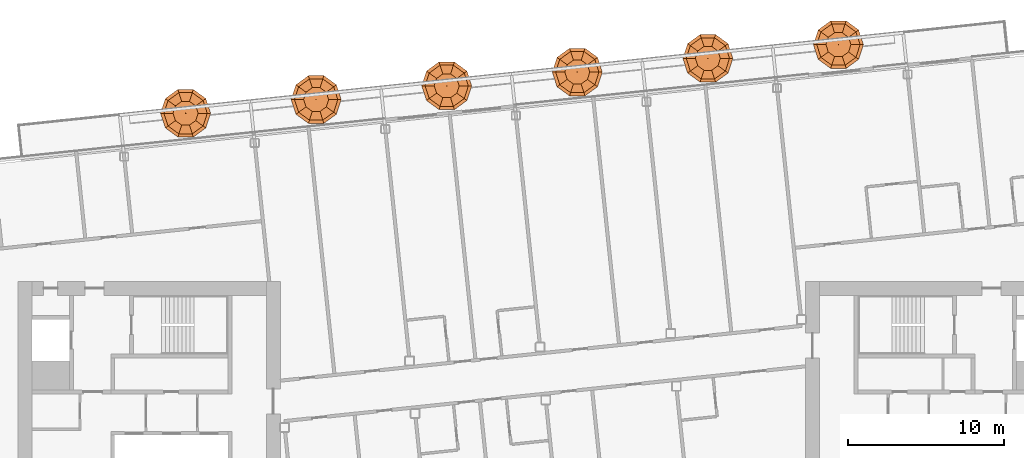
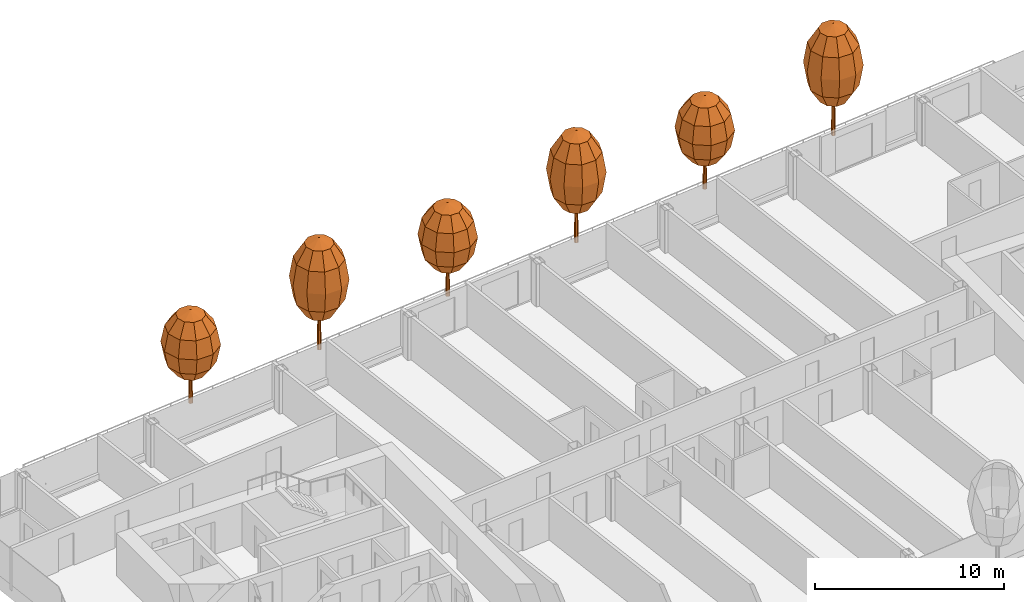
# One storey, part 29 of 29: 6 geographic elements.
"""IFC4 building model written with IfcOpenShell, lengths in metres."""

import ifcopenshell
import ifcopenshell.guid

model = None  # the IFC model being written
_history = None  # IfcOwnerHistory: only IFC2X3 demands one
_inside = {}  # id of a spatial element -> (the spatial element, [elements in it])
_under = {}  # id of a project, library or spatial element -> (it, [spatial elements below it])
_declared = {}  # id of a project -> (the project, [libraries it declares])
_typed = {}  # id of a type object -> (the type object, [elements of that type])
_made_of = {}  # id of a material, layer set ... -> (it, [elements and type objects made of it])


def new_model(schema):
    """Start an empty IFC model of exactly this schema.

    Asked for "IFC4X3", IfcOpenShell would pick the latest addendum, in which some entities
    have other attributes; the version numbers below select the first issue.
    IFC2X3 requires an IfcOwnerHistory on every rooted entity: one is made here for all.
    """
    global model, _history
    if schema == "IFC4X3":
        model = ifcopenshell.file(schema_version=(4, 3, 0, 0))
    else:
        model = ifcopenshell.file(schema=schema)
    _inside.clear()
    _under.clear()
    _declared.clear()
    _typed.clear()
    _made_of.clear()
    _history = None
    if model.schema == "IFC2X3":
        org = make("IfcOrganization", Name="unknown")
        user = make(
            "IfcPersonAndOrganization",
            ThePerson=make("IfcPerson", FamilyName="unknown"),
            TheOrganization=org,
        )
        app = make(
            "IfcApplication",
            ApplicationDeveloper=org,
            Version="unknown",
            ApplicationFullName="unknown",
            ApplicationIdentifier="unknown",
        )
        _history = make(
            "IfcOwnerHistory",
            OwningUser=user,
            OwningApplication=app,
            ChangeAction="ADDED",
            CreationDate=0,
        )
    return model


def make(cls, **values):
    """One entity of the class cls with the attributes given. An attribute that is None is left unset."""
    return model.create_entity(
        cls, **{name: value for name, value in values.items() if value is not None}
    )


def rooted(cls, **values):
    """An entity with a GlobalId (a new one), such as an element, a storey or a relation."""
    return make(cls, GlobalId=ifcopenshell.guid.new(), OwnerHistory=_history, **values)


def si_unit(unit_type, name, prefix=None):
    """IfcSIUnit, for example si_unit("LENGTHUNIT", "METRE", prefix="MILLI")."""
    return make("IfcSIUnit", UnitType=unit_type, Prefix=prefix, Name=name)


def assignment(units):
    """IfcUnitAssignment: the units of a project."""
    return None if units is None else make("IfcUnitAssignment", Units=units)


def point(xyz):
    """IfcCartesianPoint."""
    return None if xyz is None else make("IfcCartesianPoint", Coordinates=xyz)


def direction(xyz):
    """IfcDirection."""
    return None if xyz is None else make("IfcDirection", DirectionRatios=xyz)


def frame(location, z_axis=None, x_axis=None):
    """IfcAxis2Placement3D, a coordinate frame: its origin and axes. An axis left out is left unset."""
    return make(
        "IfcAxis2Placement3D",
        Location=point(location),
        Axis=direction(z_axis),
        RefDirection=direction(x_axis),
    )


def origin():
    """The frame at (0, 0, 0) with its axes left unset."""
    return frame((0.0, 0.0, 0.0))


def place(relative_to, where):
    """IfcLocalPlacement: puts the frame where relative to a parent placement (None: the world)."""
    return make(
        "IfcLocalPlacement", PlacementRelTo=relative_to, RelativePlacement=where
    )


def context(
    kind, dimensions, precision=None, world=None, true_north=None, identifier=None
):
    """IfcGeometricRepresentationContext, for example the 3D "Model" context."""
    return make(
        "IfcGeometricRepresentationContext",
        ContextIdentifier=identifier,
        ContextType=kind,
        CoordinateSpaceDimension=dimensions,
        Precision=precision,
        WorldCoordinateSystem=world,
        TrueNorth=true_north,
    )


def subcontext(parent, identifier, kind, view, scale=None):
    """IfcGeometricRepresentationSubContext, for example "Body" below "Model"."""
    return make(
        "IfcGeometricRepresentationSubContext",
        ContextIdentifier=identifier,
        ContextType=kind,
        ParentContext=parent,
        TargetScale=scale,
        TargetView=view,
    )


def project(units=None, contexts=None):
    """IfcProject with its units and contexts."""
    return rooted(
        "IfcProject",
        Name="project",
        RepresentationContexts=contexts,
        UnitsInContext=assignment(units),
    )


def spatial(cls, under=None, at=None, **own):
    """A site, building, storey or space (cls), placed at a placement, below another one or the project."""
    s = rooted(cls, ObjectPlacement=at, **own)
    if under is not None:
        _under.setdefault(under.id(), (under, []))[1].append(s)
    return s


def point_list(points):
    """IfcCartesianPointList2D or 3D."""
    cls = (
        "IfcCartesianPointList2D" if len(points[0]) == 2 else "IfcCartesianPointList3D"
    )
    return make(cls, CoordList=points)


def triangles(points, corners, closed=None, point_numbers=None):
    """IfcTriangulatedFaceSet: each triangle names its three corners, points numbered from 1."""
    return make(
        "IfcTriangulatedFaceSet",
        Coordinates=point_list(points),
        Closed=closed,
        CoordIndex=corners,
        PnIndex=point_numbers,
    )


def shape(context_of_items, identifier, shape_type, items):
    """IfcShapeRepresentation: the items that make up one representation, for example the "Body"."""
    return make(
        "IfcShapeRepresentation",
        ContextOfItems=context_of_items,
        RepresentationIdentifier=identifier,
        RepresentationType=shape_type,
        Items=items,
    )


def material(Name=None, Category=None):
    """IfcMaterial."""
    return make("IfcMaterial", Name=Name, Category=Category)


def made_of(thing, what):
    """Note that an element or type object is made of a material, layer set ...; save() writes the relation."""
    if what is not None:
        _made_of.setdefault(what.id(), (what, []))[1].append(thing)
    return thing


def type_object(cls, material=None, **own):
    """A type object (cls), such as IfcWallType, which elements share."""
    return made_of(rooted(cls, **own), material)


def element(
    cls,
    number,
    at=None,
    inside=None,
    cuts=None,
    type_object=None,
    material=None,
    context=None,
    identifier="Body",
    shape_type=None,
    held_by="IfcProductDefinitionShape",
    body=None,
    shapes=None,
    **own,
):
    """One element of the class cls, such as IfcWall. Its Tag is "e" and its number.

    at: its placement. inside: the storey or other place that contains it. cuts: it is an
    opening in that element (IfcRelVoidsElement). A single representation is given by context,
    identifier, shape_type and body (its items); several are given by shapes. held_by: the class
    of the entity that holds the representations. save() writes the other relations.
    """
    e = rooted(cls, Tag="e%d" % number, ObjectPlacement=at, **own)
    if body is not None:
        shapes = [shape(context, identifier, shape_type, body)]
    if shapes is not None:
        e.Representation = make(held_by, Representations=shapes)
    if inside is not None:
        _inside.setdefault(inside.id(), (inside, []))[1].append(e)
    if cuts is not None:
        rooted(
            "IfcRelVoidsElement", RelatingBuildingElement=cuts, RelatedOpeningElement=e
        )
    if type_object is not None:
        _typed.setdefault(type_object.id(), (type_object, []))[1].append(e)
    return made_of(e, material)


def aggregate(whole, parts):
    """IfcRelAggregates: a whole, such as a stair, and the parts it consists of."""
    return rooted("IfcRelAggregates", RelatingObject=whole, RelatedObjects=parts)


def save(model, path):
    """Write the relations noted so far, then the file.

    IfcRelAggregates (storeys below a building ...), IfcRelContainedInSpatialStructure (elements
    in a storey), IfcRelDefinesByType, IfcRelAssociatesMaterial and IfcRelDeclares: one each for
    every whole, place, type object, material and project.
    """
    for whole, parts in _under.values():
        aggregate(whole, parts)
    for where, things in _inside.values():
        rooted(
            "IfcRelContainedInSpatialStructure",
            RelatedElements=things,
            RelatingStructure=where,
        )
    for kind, things in _typed.values():
        rooted("IfcRelDefinesByType", RelatedObjects=things, RelatingType=kind)
    for what, things in _made_of.values():
        rooted("IfcRelAssociatesMaterial", RelatedObjects=things, RelatingMaterial=what)
    for by, libraries in _declared.values():
        rooted("IfcRelDeclares", RelatingContext=by, RelatedDefinitions=libraries)
    model.write(path)


model = new_model("IFC4")

# Units and contexts
model_context = context("Model", 3, precision=1e-05, world=origin(), true_north=direction((0.0, 1.0)))
body_context = subcontext(model_context, "Body", "Model", "MODEL_VIEW")
ifc_project = project(units=[si_unit("LENGTHUNIT", "METRE"), si_unit("AREAUNIT", "SQUARE_METRE"), si_unit("VOLUMEUNIT", "CUBIC_METRE"), si_unit("PLANEANGLEUNIT", "RADIAN"), si_unit("MASSUNIT", "GRAM", prefix="KILO")], contexts=[model_context])

# Site, building, storey
site_placement = place(None, origin())
site = spatial("IfcSite", under=ifc_project, at=site_placement, CompositionType="ELEMENT")
building_placement = place(site_placement, origin())
building = spatial("IfcBuilding", under=site, at=building_placement, Name="Hakoniwa Tower and Hamabe Station Hall", CompositionType="ELEMENT")
storey_placement = place(building_placement, frame((0.0, 0.0, 258.199951171875)))
storey = spatial("IfcBuildingStorey", under=building, at=storey_placement, Name="L73", CompositionType="ELEMENT", Elevation=258.199951171875)

# Geographic elements
ifc_material_1 = material(Name="Tree foliage")
geographic_element_type_1 = type_object("IfcGeographicElementType", Name="Japanese maple 7.2 m", PredefinedType="USERDEFINED", material=ifc_material_1)
geographic_element_1_placement = place(storey_placement, frame((-14.51171875, 20.029052734375, 0.900146484375)))
element("IfcGeographicElement", 1, at=geographic_element_1_placement, inside=storey, type_object=geographic_element_type_1, Name="Japanese maple 7-2 m", ObjectType="TREE", PredefinedType="USERDEFINED", context=body_context, shape_type="Tessellation", body=[
    triangles([(0.125, 0.0, 0.0), (0.08837890625, 0.08837890625, 0.0), (0.0, 0.125, 0.0), (-0.08837890625, 0.08837890625, 0.0), (-0.125, 0.0, 0.0), (-0.08837890625, -0.08837890625, 0.0), (0.0, -0.125, 0.0), (0.08837890625, -0.08837890625, 0.0), (0.074951171875, 0.0, 4.348876953125), (0.052978515625, 0.052978515625, 4.348876953125), (0.0, 0.074951171875, 4.348876953125), (-0.052978515625, 0.052978515625, 4.348876953125), (-0.074951171875, 0.0, 4.348876953125), (-0.052978515625, -0.052978515625, 4.348876953125), (0.0, -0.074951171875, 4.348876953125), (0.052978515625, -0.052978515625, 4.348876953125), (0.0, 0.0, 0.0), (0.0, 0.0, 4.348876953125)], [[1, 2, 10], [1, 10, 9], [17, 2, 1], [18, 9, 10], [2, 3, 11], [2, 11, 10], [17, 3, 2], [18, 10, 11], [3, 4, 12], [3, 12, 11], [17, 4, 3], [18, 11, 12], [4, 5, 13], [4, 13, 12], [17, 5, 4], [18, 12, 13], [5, 6, 14], [5, 14, 13], [17, 6, 5], [18, 13, 14], [6, 7, 15], [6, 15, 14], [17, 7, 6], [18, 14, 15], [7, 8, 16], [7, 16, 15], [17, 8, 7], [18, 15, 16], [8, 1, 9], [8, 9, 16], [17, 1, 8], [18, 16, 9]], closed=True),
    triangles([(0.0, 0.0, 2.015869140625), (0.800048828125, 0.0, 2.36328125), (0.647216796875, 0.47021484375, 2.36328125), (0.247314453125, 0.7607421875, 2.36328125), (-0.247314453125, 0.7607421875, 2.36328125), (-0.647216796875, 0.47021484375, 2.36328125), (-0.800048828125, 0.0, 2.36328125), (-0.647216796875, -0.47021484375, 2.36328125), (-0.247314453125, -0.7607421875, 2.36328125), (0.247314453125, -0.7607421875, 2.36328125), (0.647216796875, -0.47021484375, 2.36328125), (1.385498046875, 0.0, 3.31201171875), (1.12109375, 0.814453125, 3.31201171875), (0.42822265625, 1.31787109375, 3.31201171875), (-0.42822265625, 1.31787109375, 3.31201171875), (-1.12109375, 0.814453125, 3.31201171875), (-1.385498046875, 0.0, 3.31201171875), (-1.12109375, -0.814453125, 3.31201171875), (-0.42822265625, -1.31787109375, 3.31201171875), (0.42822265625, -1.31787109375, 3.31201171875), (1.12109375, -0.814453125, 3.31201171875), (1.60009765625, 0.0, 4.60791015625), (1.29443359375, 0.9404296875, 4.60791015625), (0.494384765625, 1.521728515625, 4.60791015625), (-0.494384765625, 1.521728515625, 4.60791015625), (-1.29443359375, 0.9404296875, 4.60791015625), (-1.60009765625, 0.0, 4.60791015625), (-1.29443359375, -0.9404296875, 4.60791015625), (-0.494384765625, -1.521728515625, 4.60791015625), (0.494384765625, -1.521728515625, 4.60791015625), (1.29443359375, -0.9404296875, 4.60791015625), (1.385498046875, 0.0, 5.904052734375), (1.12109375, 0.814453125, 5.904052734375), (0.42822265625, 1.31787109375, 5.904052734375), (-0.42822265625, 1.31787109375, 5.904052734375), (-1.12109375, 0.814453125, 5.904052734375), (-1.385498046875, 0.0, 5.904052734375), (-1.12109375, -0.814453125, 5.904052734375), (-0.42822265625, -1.31787109375, 5.904052734375), (0.42822265625, -1.31787109375, 5.904052734375), (1.12109375, -0.814453125, 5.904052734375), (0.800048828125, 0.0, 6.852783203125), (0.647216796875, 0.47021484375, 6.852783203125), (0.247314453125, 0.7607421875, 6.852783203125), (-0.247314453125, 0.7607421875, 6.852783203125), (-0.647216796875, 0.47021484375, 6.852783203125), (-0.800048828125, 0.0, 6.852783203125), (-0.647216796875, -0.47021484375, 6.852783203125), (-0.247314453125, -0.7607421875, 6.852783203125), (0.247314453125, -0.7607421875, 6.852783203125), (0.647216796875, -0.47021484375, 6.852783203125), (0.0, 0.0, 7.199951171875)], [[1, 3, 2], [1, 4, 3], [1, 5, 4], [1, 6, 5], [1, 7, 6], [1, 8, 7], [1, 9, 8], [1, 10, 9], [1, 11, 10], [1, 2, 11], [2, 3, 13], [2, 13, 12], [3, 4, 14], [3, 14, 13], [4, 5, 15], [4, 15, 14], [5, 6, 16], [5, 16, 15], [6, 7, 17], [6, 17, 16], [7, 8, 18], [7, 18, 17], [8, 9, 19], [8, 19, 18], [9, 10, 20], [9, 20, 19], [10, 11, 21], [10, 21, 20], [11, 2, 12], [11, 12, 21], [12, 13, 23], [12, 23, 22], [13, 14, 24], [13, 24, 23], [14, 15, 25], [14, 25, 24], [15, 16, 26], [15, 26, 25], [16, 17, 27], [16, 27, 26], [17, 18, 28], [17, 28, 27], [18, 19, 29], [18, 29, 28], [19, 20, 30], [19, 30, 29], [20, 21, 31], [20, 31, 30], [21, 12, 22], [21, 22, 31], [22, 23, 33], [22, 33, 32], [23, 24, 34], [23, 34, 33], [24, 25, 35], [24, 35, 34], [25, 26, 36], [25, 36, 35], [26, 27, 37], [26, 37, 36], [27, 28, 38], [27, 38, 37], [28, 29, 39], [28, 39, 38], [29, 30, 40], [29, 40, 39], [30, 31, 41], [30, 41, 40], [31, 22, 32], [31, 32, 41], [32, 33, 43], [32, 43, 42], [33, 34, 44], [33, 44, 43], [34, 35, 45], [34, 45, 44], [35, 36, 46], [35, 46, 45], [36, 37, 47], [36, 47, 46], [37, 38, 48], [37, 48, 47], [38, 39, 49], [38, 49, 48], [39, 40, 50], [39, 50, 49], [40, 41, 51], [40, 51, 50], [41, 32, 42], [41, 42, 51], [52, 42, 43], [52, 43, 44], [52, 44, 45], [52, 45, 46], [52, 46, 47], [52, 47, 48], [52, 48, 49], [52, 49, 50], [52, 50, 51], [52, 51, 42]], closed=True),
])
geographic_element_2_placement = place(storey_placement, frame((2.1962890625, 21.78515625, 0.900146484375)))
element("IfcGeographicElement", 2, at=geographic_element_2_placement, inside=storey, type_object=geographic_element_type_1, Name="Japanese maple 7-2 m", ObjectType="TREE", PredefinedType="USERDEFINED", context=body_context, shape_type="Tessellation", body=[
    triangles([(0.125, 0.0, 0.0), (0.08837890625, 0.08837890625, 0.0), (0.0, 0.125, 0.0), (-0.08837890625, 0.08837890625, 0.0), (-0.125, 0.0, 0.0), (-0.08837890625, -0.08837890625, 0.0), (0.0, -0.125, 0.0), (0.08837890625, -0.08837890625, 0.0), (0.074951171875, 0.0, 4.348876953125), (0.052978515625, 0.052978515625, 4.348876953125), (0.0, 0.074951171875, 4.348876953125), (-0.052978515625, 0.052978515625, 4.348876953125), (-0.074951171875, 0.0, 4.348876953125), (-0.052978515625, -0.052978515625, 4.348876953125), (0.0, -0.074951171875, 4.348876953125), (0.052978515625, -0.052978515625, 4.348876953125), (0.0, 0.0, 0.0), (0.0, 0.0, 4.348876953125)], [[1, 2, 10], [1, 10, 9], [17, 2, 1], [18, 9, 10], [2, 3, 11], [2, 11, 10], [17, 3, 2], [18, 10, 11], [3, 4, 12], [3, 12, 11], [17, 4, 3], [18, 11, 12], [4, 5, 13], [4, 13, 12], [17, 5, 4], [18, 12, 13], [5, 6, 14], [5, 14, 13], [17, 6, 5], [18, 13, 14], [6, 7, 15], [6, 15, 14], [17, 7, 6], [18, 14, 15], [7, 8, 16], [7, 16, 15], [17, 8, 7], [18, 15, 16], [8, 1, 9], [8, 9, 16], [17, 1, 8], [18, 16, 9]], closed=True),
    triangles([(0.0, 0.0, 2.015869140625), (0.800048828125, 0.0, 2.36328125), (0.647216796875, 0.47021484375, 2.36328125), (0.247314453125, 0.7607421875, 2.36328125), (-0.247314453125, 0.7607421875, 2.36328125), (-0.647216796875, 0.47021484375, 2.36328125), (-0.800048828125, 0.0, 2.36328125), (-0.647216796875, -0.47021484375, 2.36328125), (-0.247314453125, -0.7607421875, 2.36328125), (0.247314453125, -0.7607421875, 2.36328125), (0.647216796875, -0.47021484375, 2.36328125), (1.385498046875, 0.0, 3.31201171875), (1.12109375, 0.814453125, 3.31201171875), (0.42822265625, 1.31787109375, 3.31201171875), (-0.42822265625, 1.31787109375, 3.31201171875), (-1.12109375, 0.814453125, 3.31201171875), (-1.385498046875, 0.0, 3.31201171875), (-1.12109375, -0.814453125, 3.31201171875), (-0.42822265625, -1.31787109375, 3.31201171875), (0.42822265625, -1.31787109375, 3.31201171875), (1.12109375, -0.814453125, 3.31201171875), (1.60009765625, 0.0, 4.60791015625), (1.29443359375, 0.9404296875, 4.60791015625), (0.494384765625, 1.521728515625, 4.60791015625), (-0.494384765625, 1.521728515625, 4.60791015625), (-1.29443359375, 0.9404296875, 4.60791015625), (-1.60009765625, 0.0, 4.60791015625), (-1.29443359375, -0.9404296875, 4.60791015625), (-0.494384765625, -1.521728515625, 4.60791015625), (0.494384765625, -1.521728515625, 4.60791015625), (1.29443359375, -0.9404296875, 4.60791015625), (1.385498046875, 0.0, 5.904052734375), (1.12109375, 0.814453125, 5.904052734375), (0.42822265625, 1.31787109375, 5.904052734375), (-0.42822265625, 1.31787109375, 5.904052734375), (-1.12109375, 0.814453125, 5.904052734375), (-1.385498046875, 0.0, 5.904052734375), (-1.12109375, -0.814453125, 5.904052734375), (-0.42822265625, -1.31787109375, 5.904052734375), (0.42822265625, -1.31787109375, 5.904052734375), (1.12109375, -0.814453125, 5.904052734375), (0.800048828125, 0.0, 6.852783203125), (0.647216796875, 0.47021484375, 6.852783203125), (0.247314453125, 0.7607421875, 6.852783203125), (-0.247314453125, 0.7607421875, 6.852783203125), (-0.647216796875, 0.47021484375, 6.852783203125), (-0.800048828125, 0.0, 6.852783203125), (-0.647216796875, -0.47021484375, 6.852783203125), (-0.247314453125, -0.7607421875, 6.852783203125), (0.247314453125, -0.7607421875, 6.852783203125), (0.647216796875, -0.47021484375, 6.852783203125), (0.0, 0.0, 7.199951171875)], [[1, 3, 2], [1, 4, 3], [1, 5, 4], [1, 6, 5], [1, 7, 6], [1, 8, 7], [1, 9, 8], [1, 10, 9], [1, 11, 10], [1, 2, 11], [2, 3, 13], [2, 13, 12], [3, 4, 14], [3, 14, 13], [4, 5, 15], [4, 15, 14], [5, 6, 16], [5, 16, 15], [6, 7, 17], [6, 17, 16], [7, 8, 18], [7, 18, 17], [8, 9, 19], [8, 19, 18], [9, 10, 20], [9, 20, 19], [10, 11, 21], [10, 21, 20], [11, 2, 12], [11, 12, 21], [12, 13, 23], [12, 23, 22], [13, 14, 24], [13, 24, 23], [14, 15, 25], [14, 25, 24], [15, 16, 26], [15, 26, 25], [16, 17, 27], [16, 27, 26], [17, 18, 28], [17, 28, 27], [18, 19, 29], [18, 29, 28], [19, 20, 30], [19, 30, 29], [20, 21, 31], [20, 31, 30], [21, 12, 22], [21, 22, 31], [22, 23, 33], [22, 33, 32], [23, 24, 34], [23, 34, 33], [24, 25, 35], [24, 35, 34], [25, 26, 36], [25, 36, 35], [26, 27, 37], [26, 37, 36], [27, 28, 38], [27, 38, 37], [28, 29, 39], [28, 39, 38], [29, 30, 40], [29, 40, 39], [30, 31, 41], [30, 41, 40], [31, 22, 32], [31, 32, 41], [32, 33, 43], [32, 43, 42], [33, 34, 44], [33, 44, 43], [34, 35, 45], [34, 45, 44], [35, 36, 46], [35, 46, 45], [36, 37, 47], [36, 47, 46], [37, 38, 48], [37, 48, 47], [38, 39, 49], [38, 49, 48], [39, 40, 50], [39, 50, 49], [40, 41, 51], [40, 51, 50], [41, 32, 42], [41, 42, 51], [52, 42, 43], [52, 43, 44], [52, 44, 45], [52, 45, 46], [52, 46, 47], [52, 47, 48], [52, 48, 49], [52, 49, 50], [52, 50, 51], [52, 51, 42]], closed=True),
])
geographic_element_3_placement = place(storey_placement, frame((18.904052734375, 23.541259765625, 0.900146484375)))
element("IfcGeographicElement", 3, at=geographic_element_3_placement, inside=storey, type_object=geographic_element_type_1, Name="Japanese maple 7-2 m", ObjectType="TREE", PredefinedType="USERDEFINED", context=body_context, shape_type="Tessellation", body=[
    triangles([(0.125, 0.0, 0.0), (0.08837890625, 0.08837890625, 0.0), (0.0, 0.125, 0.0), (-0.08837890625, 0.08837890625, 0.0), (-0.125, 0.0, 0.0), (-0.08837890625, -0.08837890625, 0.0), (0.0, -0.125, 0.0), (0.08837890625, -0.08837890625, 0.0), (0.074951171875, 0.0, 4.348876953125), (0.052978515625, 0.052978515625, 4.348876953125), (0.0, 0.074951171875, 4.348876953125), (-0.052978515625, 0.052978515625, 4.348876953125), (-0.074951171875, 0.0, 4.348876953125), (-0.052978515625, -0.052978515625, 4.348876953125), (0.0, -0.074951171875, 4.348876953125), (0.052978515625, -0.052978515625, 4.348876953125), (0.0, 0.0, 0.0), (0.0, 0.0, 4.348876953125)], [[1, 2, 10], [1, 10, 9], [17, 2, 1], [18, 9, 10], [2, 3, 11], [2, 11, 10], [17, 3, 2], [18, 10, 11], [3, 4, 12], [3, 12, 11], [17, 4, 3], [18, 11, 12], [4, 5, 13], [4, 13, 12], [17, 5, 4], [18, 12, 13], [5, 6, 14], [5, 14, 13], [17, 6, 5], [18, 13, 14], [6, 7, 15], [6, 15, 14], [17, 7, 6], [18, 14, 15], [7, 8, 16], [7, 16, 15], [17, 8, 7], [18, 15, 16], [8, 1, 9], [8, 9, 16], [17, 1, 8], [18, 16, 9]], closed=True),
    triangles([(0.0, 0.0, 2.015869140625), (0.800048828125, 0.0, 2.36328125), (0.647216796875, 0.47021484375, 2.36328125), (0.247314453125, 0.7607421875, 2.36328125), (-0.247314453125, 0.7607421875, 2.36328125), (-0.647216796875, 0.47021484375, 2.36328125), (-0.800048828125, 0.0, 2.36328125), (-0.647216796875, -0.47021484375, 2.36328125), (-0.247314453125, -0.7607421875, 2.36328125), (0.247314453125, -0.7607421875, 2.36328125), (0.647216796875, -0.47021484375, 2.36328125), (1.385498046875, 0.0, 3.31201171875), (1.12109375, 0.814453125, 3.31201171875), (0.42822265625, 1.31787109375, 3.31201171875), (-0.42822265625, 1.31787109375, 3.31201171875), (-1.12109375, 0.814453125, 3.31201171875), (-1.385498046875, 0.0, 3.31201171875), (-1.12109375, -0.814453125, 3.31201171875), (-0.42822265625, -1.31787109375, 3.31201171875), (0.42822265625, -1.31787109375, 3.31201171875), (1.12109375, -0.814453125, 3.31201171875), (1.60009765625, 0.0, 4.60791015625), (1.29443359375, 0.9404296875, 4.60791015625), (0.494384765625, 1.521728515625, 4.60791015625), (-0.494384765625, 1.521728515625, 4.60791015625), (-1.29443359375, 0.9404296875, 4.60791015625), (-1.60009765625, 0.0, 4.60791015625), (-1.29443359375, -0.9404296875, 4.60791015625), (-0.494384765625, -1.521728515625, 4.60791015625), (0.494384765625, -1.521728515625, 4.60791015625), (1.29443359375, -0.9404296875, 4.60791015625), (1.385498046875, 0.0, 5.904052734375), (1.12109375, 0.814453125, 5.904052734375), (0.42822265625, 1.31787109375, 5.904052734375), (-0.42822265625, 1.31787109375, 5.904052734375), (-1.12109375, 0.814453125, 5.904052734375), (-1.385498046875, 0.0, 5.904052734375), (-1.12109375, -0.814453125, 5.904052734375), (-0.42822265625, -1.31787109375, 5.904052734375), (0.42822265625, -1.31787109375, 5.904052734375), (1.12109375, -0.814453125, 5.904052734375), (0.800048828125, 0.0, 6.852783203125), (0.647216796875, 0.47021484375, 6.852783203125), (0.247314453125, 0.7607421875, 6.852783203125), (-0.247314453125, 0.7607421875, 6.852783203125), (-0.647216796875, 0.47021484375, 6.852783203125), (-0.800048828125, 0.0, 6.852783203125), (-0.647216796875, -0.47021484375, 6.852783203125), (-0.247314453125, -0.7607421875, 6.852783203125), (0.247314453125, -0.7607421875, 6.852783203125), (0.647216796875, -0.47021484375, 6.852783203125), (0.0, 0.0, 7.199951171875)], [[1, 3, 2], [1, 4, 3], [1, 5, 4], [1, 6, 5], [1, 7, 6], [1, 8, 7], [1, 9, 8], [1, 10, 9], [1, 11, 10], [1, 2, 11], [2, 3, 13], [2, 13, 12], [3, 4, 14], [3, 14, 13], [4, 5, 15], [4, 15, 14], [5, 6, 16], [5, 16, 15], [6, 7, 17], [6, 17, 16], [7, 8, 18], [7, 18, 17], [8, 9, 19], [8, 19, 18], [9, 10, 20], [9, 20, 19], [10, 11, 21], [10, 21, 20], [11, 2, 12], [11, 12, 21], [12, 13, 23], [12, 23, 22], [13, 14, 24], [13, 24, 23], [14, 15, 25], [14, 25, 24], [15, 16, 26], [15, 26, 25], [16, 17, 27], [16, 27, 26], [17, 18, 28], [17, 28, 27], [18, 19, 29], [18, 29, 28], [19, 20, 30], [19, 30, 29], [20, 21, 31], [20, 31, 30], [21, 12, 22], [21, 22, 31], [22, 23, 33], [22, 33, 32], [23, 24, 34], [23, 34, 33], [24, 25, 35], [24, 35, 34], [25, 26, 36], [25, 36, 35], [26, 27, 37], [26, 37, 36], [27, 28, 38], [27, 38, 37], [28, 29, 39], [28, 39, 38], [29, 30, 40], [29, 40, 39], [30, 31, 41], [30, 41, 40], [31, 22, 32], [31, 32, 41], [32, 33, 43], [32, 43, 42], [33, 34, 44], [33, 44, 43], [34, 35, 45], [34, 45, 44], [35, 36, 46], [35, 46, 45], [36, 37, 47], [36, 47, 46], [37, 38, 48], [37, 48, 47], [38, 39, 49], [38, 49, 48], [39, 40, 50], [39, 50, 49], [40, 41, 51], [40, 51, 50], [41, 32, 42], [41, 42, 51], [52, 42, 43], [52, 43, 44], [52, 44, 45], [52, 45, 46], [52, 46, 47], [52, 47, 48], [52, 48, 49], [52, 49, 50], [52, 50, 51], [52, 51, 42]], closed=True),
])
ifc_material_2 = material(Name="Tree foliage")
geographic_element_type_2 = type_object("IfcGeographicElementType", Name="Osmanthus 6.0 m", PredefinedType="USERDEFINED", material=ifc_material_2)
geographic_element_4_placement = place(storey_placement, frame((-22.86572265625, 19.151123046875, 0.900146484375)))
element("IfcGeographicElement", 4, at=geographic_element_4_placement, inside=storey, type_object=geographic_element_type_2, Name="Osmanthus 6-0 m", ObjectType="TREE", PredefinedType="USERDEFINED", context=body_context, shape_type="Tessellation", body=[
    triangles([(0.125, 0.0, 0.0), (0.08837890625, 0.08837890625, 0.0), (0.0, 0.125, 0.0), (-0.08837890625, 0.08837890625, 0.0), (-0.125, 0.0, 0.0), (-0.08837890625, -0.08837890625, 0.0), (0.0, -0.125, 0.0), (0.08837890625, -0.08837890625, 0.0), (0.074951171875, 0.0, 3.6240234375), (0.052978515625, 0.052978515625, 3.6240234375), (0.0, 0.074951171875, 3.6240234375), (-0.052978515625, 0.052978515625, 3.6240234375), (-0.074951171875, 0.0, 3.6240234375), (-0.052978515625, -0.052978515625, 3.6240234375), (0.0, -0.074951171875, 3.6240234375), (0.052978515625, -0.052978515625, 3.6240234375), (0.0, 0.0, 0.0), (0.0, 0.0, 3.6240234375)], [[1, 2, 10], [1, 10, 9], [17, 2, 1], [18, 9, 10], [2, 3, 11], [2, 11, 10], [17, 3, 2], [18, 10, 11], [3, 4, 12], [3, 12, 11], [17, 4, 3], [18, 11, 12], [4, 5, 13], [4, 13, 12], [17, 5, 4], [18, 12, 13], [5, 6, 14], [5, 14, 13], [17, 6, 5], [18, 13, 14], [6, 7, 15], [6, 15, 14], [17, 7, 6], [18, 14, 15], [7, 8, 16], [7, 16, 15], [17, 8, 7], [18, 15, 16], [8, 1, 9], [8, 9, 16], [17, 1, 8], [18, 16, 9]], closed=True),
    triangles([(0.0, 0.0, 1.679931640625), (0.800048828125, 0.0, 1.969482421875), (0.647216796875, 0.47021484375, 1.969482421875), (0.247314453125, 0.7607421875, 1.969482421875), (-0.247314453125, 0.7607421875, 1.969482421875), (-0.647216796875, 0.47021484375, 1.969482421875), (-0.800048828125, 0.0, 1.969482421875), (-0.647216796875, -0.47021484375, 1.969482421875), (-0.247314453125, -0.7607421875, 1.969482421875), (0.247314453125, -0.7607421875, 1.969482421875), (0.647216796875, -0.47021484375, 1.969482421875), (1.385498046875, 0.0, 2.760009765625), (1.12109375, 0.814453125, 2.760009765625), (0.42822265625, 1.31787109375, 2.760009765625), (-0.42822265625, 1.31787109375, 2.760009765625), (-1.12109375, 0.814453125, 2.760009765625), (-1.385498046875, 0.0, 2.760009765625), (-1.12109375, -0.814453125, 2.760009765625), (-0.42822265625, -1.31787109375, 2.760009765625), (0.42822265625, -1.31787109375, 2.760009765625), (1.12109375, -0.814453125, 2.760009765625), (1.60009765625, 0.0, 3.840087890625), (1.29443359375, 0.9404296875, 3.840087890625), (0.494384765625, 1.521728515625, 3.840087890625), (-0.494384765625, 1.521728515625, 3.840087890625), (-1.29443359375, 0.9404296875, 3.840087890625), (-1.60009765625, 0.0, 3.840087890625), (-1.29443359375, -0.9404296875, 3.840087890625), (-0.494384765625, -1.521728515625, 3.840087890625), (0.494384765625, -1.521728515625, 3.840087890625), (1.29443359375, -0.9404296875, 3.840087890625), (1.385498046875, 0.0, 4.919921875), (1.12109375, 0.814453125, 4.919921875), (0.42822265625, 1.31787109375, 4.919921875), (-0.42822265625, 1.31787109375, 4.919921875), (-1.12109375, 0.814453125, 4.919921875), (-1.385498046875, 0.0, 4.919921875), (-1.12109375, -0.814453125, 4.919921875), (-0.42822265625, -1.31787109375, 4.919921875), (0.42822265625, -1.31787109375, 4.919921875), (1.12109375, -0.814453125, 4.919921875), (0.800048828125, 0.0, 5.710693359375), (0.647216796875, 0.47021484375, 5.710693359375), (0.247314453125, 0.7607421875, 5.710693359375), (-0.247314453125, 0.7607421875, 5.710693359375), (-0.647216796875, 0.47021484375, 5.710693359375), (-0.800048828125, 0.0, 5.710693359375), (-0.647216796875, -0.47021484375, 5.710693359375), (-0.247314453125, -0.7607421875, 5.710693359375), (0.247314453125, -0.7607421875, 5.710693359375), (0.647216796875, -0.47021484375, 5.710693359375), (0.0, 0.0, 6.0)], [[1, 3, 2], [1, 4, 3], [1, 5, 4], [1, 6, 5], [1, 7, 6], [1, 8, 7], [1, 9, 8], [1, 10, 9], [1, 11, 10], [1, 2, 11], [2, 3, 13], [2, 13, 12], [3, 4, 14], [3, 14, 13], [4, 5, 15], [4, 15, 14], [5, 6, 16], [5, 16, 15], [6, 7, 17], [6, 17, 16], [7, 8, 18], [7, 18, 17], [8, 9, 19], [8, 19, 18], [9, 10, 20], [9, 20, 19], [10, 11, 21], [10, 21, 20], [11, 2, 12], [11, 12, 21], [12, 13, 23], [12, 23, 22], [13, 14, 24], [13, 24, 23], [14, 15, 25], [14, 25, 24], [15, 16, 26], [15, 26, 25], [16, 17, 27], [16, 27, 26], [17, 18, 28], [17, 28, 27], [18, 19, 29], [18, 29, 28], [19, 20, 30], [19, 30, 29], [20, 21, 31], [20, 31, 30], [21, 12, 22], [21, 22, 31], [22, 23, 33], [22, 33, 32], [23, 24, 34], [23, 34, 33], [24, 25, 35], [24, 35, 34], [25, 26, 36], [25, 36, 35], [26, 27, 37], [26, 37, 36], [27, 28, 38], [27, 38, 37], [28, 29, 39], [28, 39, 38], [29, 30, 40], [29, 40, 39], [30, 31, 41], [30, 41, 40], [31, 22, 32], [31, 32, 41], [32, 33, 43], [32, 43, 42], [33, 34, 44], [33, 44, 43], [34, 35, 45], [34, 45, 44], [35, 36, 46], [35, 46, 45], [36, 37, 47], [36, 47, 46], [37, 38, 48], [37, 48, 47], [38, 39, 49], [38, 49, 48], [39, 40, 50], [39, 50, 49], [40, 41, 51], [40, 51, 50], [41, 32, 42], [41, 42, 51], [52, 42, 43], [52, 43, 44], [52, 44, 45], [52, 45, 46], [52, 46, 47], [52, 47, 48], [52, 48, 49], [52, 49, 50], [52, 50, 51], [52, 51, 42]], closed=True),
])
geographic_element_5_placement = place(storey_placement, frame((-6.15771484375, 20.9072265625, 0.900146484375)))
element("IfcGeographicElement", 5, at=geographic_element_5_placement, inside=storey, type_object=geographic_element_type_2, Name="Osmanthus 6-0 m", ObjectType="TREE", PredefinedType="USERDEFINED", context=body_context, shape_type="Tessellation", body=[
    triangles([(0.125, 0.0, 0.0), (0.08837890625, 0.08837890625, 0.0), (0.0, 0.125, 0.0), (-0.08837890625, 0.08837890625, 0.0), (-0.125, 0.0, 0.0), (-0.08837890625, -0.08837890625, 0.0), (0.0, -0.125, 0.0), (0.08837890625, -0.08837890625, 0.0), (0.074951171875, 0.0, 3.6240234375), (0.052978515625, 0.052978515625, 3.6240234375), (0.0, 0.074951171875, 3.6240234375), (-0.052978515625, 0.052978515625, 3.6240234375), (-0.074951171875, 0.0, 3.6240234375), (-0.052978515625, -0.052978515625, 3.6240234375), (0.0, -0.074951171875, 3.6240234375), (0.052978515625, -0.052978515625, 3.6240234375), (0.0, 0.0, 0.0), (0.0, 0.0, 3.6240234375)], [[1, 2, 10], [1, 10, 9], [17, 2, 1], [18, 9, 10], [2, 3, 11], [2, 11, 10], [17, 3, 2], [18, 10, 11], [3, 4, 12], [3, 12, 11], [17, 4, 3], [18, 11, 12], [4, 5, 13], [4, 13, 12], [17, 5, 4], [18, 12, 13], [5, 6, 14], [5, 14, 13], [17, 6, 5], [18, 13, 14], [6, 7, 15], [6, 15, 14], [17, 7, 6], [18, 14, 15], [7, 8, 16], [7, 16, 15], [17, 8, 7], [18, 15, 16], [8, 1, 9], [8, 9, 16], [17, 1, 8], [18, 16, 9]], closed=True),
    triangles([(0.0, 0.0, 1.679931640625), (0.800048828125, 0.0, 1.969482421875), (0.647216796875, 0.47021484375, 1.969482421875), (0.247314453125, 0.7607421875, 1.969482421875), (-0.247314453125, 0.7607421875, 1.969482421875), (-0.647216796875, 0.47021484375, 1.969482421875), (-0.800048828125, 0.0, 1.969482421875), (-0.647216796875, -0.47021484375, 1.969482421875), (-0.247314453125, -0.7607421875, 1.969482421875), (0.247314453125, -0.7607421875, 1.969482421875), (0.647216796875, -0.47021484375, 1.969482421875), (1.385498046875, 0.0, 2.760009765625), (1.12109375, 0.814453125, 2.760009765625), (0.42822265625, 1.31787109375, 2.760009765625), (-0.42822265625, 1.31787109375, 2.760009765625), (-1.12109375, 0.814453125, 2.760009765625), (-1.385498046875, 0.0, 2.760009765625), (-1.12109375, -0.814453125, 2.760009765625), (-0.42822265625, -1.31787109375, 2.760009765625), (0.42822265625, -1.31787109375, 2.760009765625), (1.12109375, -0.814453125, 2.760009765625), (1.60009765625, 0.0, 3.840087890625), (1.29443359375, 0.9404296875, 3.840087890625), (0.494384765625, 1.521728515625, 3.840087890625), (-0.494384765625, 1.521728515625, 3.840087890625), (-1.29443359375, 0.9404296875, 3.840087890625), (-1.60009765625, 0.0, 3.840087890625), (-1.29443359375, -0.9404296875, 3.840087890625), (-0.494384765625, -1.521728515625, 3.840087890625), (0.494384765625, -1.521728515625, 3.840087890625), (1.29443359375, -0.9404296875, 3.840087890625), (1.385498046875, 0.0, 4.919921875), (1.12109375, 0.814453125, 4.919921875), (0.42822265625, 1.31787109375, 4.919921875), (-0.42822265625, 1.31787109375, 4.919921875), (-1.12109375, 0.814453125, 4.919921875), (-1.385498046875, 0.0, 4.919921875), (-1.12109375, -0.814453125, 4.919921875), (-0.42822265625, -1.31787109375, 4.919921875), (0.42822265625, -1.31787109375, 4.919921875), (1.12109375, -0.814453125, 4.919921875), (0.800048828125, 0.0, 5.710693359375), (0.647216796875, 0.47021484375, 5.710693359375), (0.247314453125, 0.7607421875, 5.710693359375), (-0.247314453125, 0.7607421875, 5.710693359375), (-0.647216796875, 0.47021484375, 5.710693359375), (-0.800048828125, 0.0, 5.710693359375), (-0.647216796875, -0.47021484375, 5.710693359375), (-0.247314453125, -0.7607421875, 5.710693359375), (0.247314453125, -0.7607421875, 5.710693359375), (0.647216796875, -0.47021484375, 5.710693359375), (0.0, 0.0, 6.0)], [[1, 3, 2], [1, 4, 3], [1, 5, 4], [1, 6, 5], [1, 7, 6], [1, 8, 7], [1, 9, 8], [1, 10, 9], [1, 11, 10], [1, 2, 11], [2, 3, 13], [2, 13, 12], [3, 4, 14], [3, 14, 13], [4, 5, 15], [4, 15, 14], [5, 6, 16], [5, 16, 15], [6, 7, 17], [6, 17, 16], [7, 8, 18], [7, 18, 17], [8, 9, 19], [8, 19, 18], [9, 10, 20], [9, 20, 19], [10, 11, 21], [10, 21, 20], [11, 2, 12], [11, 12, 21], [12, 13, 23], [12, 23, 22], [13, 14, 24], [13, 24, 23], [14, 15, 25], [14, 25, 24], [15, 16, 26], [15, 26, 25], [16, 17, 27], [16, 27, 26], [17, 18, 28], [17, 28, 27], [18, 19, 29], [18, 29, 28], [19, 20, 30], [19, 30, 29], [20, 21, 31], [20, 31, 30], [21, 12, 22], [21, 22, 31], [22, 23, 33], [22, 33, 32], [23, 24, 34], [23, 34, 33], [24, 25, 35], [24, 35, 34], [25, 26, 36], [25, 36, 35], [26, 27, 37], [26, 37, 36], [27, 28, 38], [27, 38, 37], [28, 29, 39], [28, 39, 38], [29, 30, 40], [29, 40, 39], [30, 31, 41], [30, 41, 40], [31, 22, 32], [31, 32, 41], [32, 33, 43], [32, 43, 42], [33, 34, 44], [33, 44, 43], [34, 35, 45], [34, 45, 44], [35, 36, 46], [35, 46, 45], [36, 37, 47], [36, 47, 46], [37, 38, 48], [37, 48, 47], [38, 39, 49], [38, 49, 48], [39, 40, 50], [39, 50, 49], [40, 41, 51], [40, 51, 50], [41, 32, 42], [41, 42, 51], [52, 42, 43], [52, 43, 44], [52, 44, 45], [52, 45, 46], [52, 46, 47], [52, 47, 48], [52, 48, 49], [52, 49, 50], [52, 50, 51], [52, 51, 42]], closed=True),
])
geographic_element_6_placement = place(storey_placement, frame((10.550048828125, 22.663330078125, 0.900146484375)))
element("IfcGeographicElement", 6, at=geographic_element_6_placement, inside=storey, type_object=geographic_element_type_2, Name="Osmanthus 6-0 m", ObjectType="TREE", PredefinedType="USERDEFINED", context=body_context, shape_type="Tessellation", body=[
    triangles([(0.125, 0.0, 0.0), (0.08837890625, 0.08837890625, 0.0), (0.0, 0.125, 0.0), (-0.08837890625, 0.08837890625, 0.0), (-0.125, 0.0, 0.0), (-0.08837890625, -0.08837890625, 0.0), (0.0, -0.125, 0.0), (0.08837890625, -0.08837890625, 0.0), (0.074951171875, 0.0, 3.6240234375), (0.052978515625, 0.052978515625, 3.6240234375), (0.0, 0.074951171875, 3.6240234375), (-0.052978515625, 0.052978515625, 3.6240234375), (-0.074951171875, 0.0, 3.6240234375), (-0.052978515625, -0.052978515625, 3.6240234375), (0.0, -0.074951171875, 3.6240234375), (0.052978515625, -0.052978515625, 3.6240234375), (0.0, 0.0, 0.0), (0.0, 0.0, 3.6240234375)], [[1, 2, 10], [1, 10, 9], [17, 2, 1], [18, 9, 10], [2, 3, 11], [2, 11, 10], [17, 3, 2], [18, 10, 11], [3, 4, 12], [3, 12, 11], [17, 4, 3], [18, 11, 12], [4, 5, 13], [4, 13, 12], [17, 5, 4], [18, 12, 13], [5, 6, 14], [5, 14, 13], [17, 6, 5], [18, 13, 14], [6, 7, 15], [6, 15, 14], [17, 7, 6], [18, 14, 15], [7, 8, 16], [7, 16, 15], [17, 8, 7], [18, 15, 16], [8, 1, 9], [8, 9, 16], [17, 1, 8], [18, 16, 9]], closed=True),
    triangles([(0.0, 0.0, 1.679931640625), (0.800048828125, 0.0, 1.969482421875), (0.647216796875, 0.47021484375, 1.969482421875), (0.247314453125, 0.7607421875, 1.969482421875), (-0.247314453125, 0.7607421875, 1.969482421875), (-0.647216796875, 0.47021484375, 1.969482421875), (-0.800048828125, 0.0, 1.969482421875), (-0.647216796875, -0.47021484375, 1.969482421875), (-0.247314453125, -0.7607421875, 1.969482421875), (0.247314453125, -0.7607421875, 1.969482421875), (0.647216796875, -0.47021484375, 1.969482421875), (1.385498046875, 0.0, 2.760009765625), (1.12109375, 0.814453125, 2.760009765625), (0.42822265625, 1.31787109375, 2.760009765625), (-0.42822265625, 1.31787109375, 2.760009765625), (-1.12109375, 0.814453125, 2.760009765625), (-1.385498046875, 0.0, 2.760009765625), (-1.12109375, -0.814453125, 2.760009765625), (-0.42822265625, -1.31787109375, 2.760009765625), (0.42822265625, -1.31787109375, 2.760009765625), (1.12109375, -0.814453125, 2.760009765625), (1.60009765625, 0.0, 3.840087890625), (1.29443359375, 0.9404296875, 3.840087890625), (0.494384765625, 1.521728515625, 3.840087890625), (-0.494384765625, 1.521728515625, 3.840087890625), (-1.29443359375, 0.9404296875, 3.840087890625), (-1.60009765625, 0.0, 3.840087890625), (-1.29443359375, -0.9404296875, 3.840087890625), (-0.494384765625, -1.521728515625, 3.840087890625), (0.494384765625, -1.521728515625, 3.840087890625), (1.29443359375, -0.9404296875, 3.840087890625), (1.385498046875, 0.0, 4.919921875), (1.12109375, 0.814453125, 4.919921875), (0.42822265625, 1.31787109375, 4.919921875), (-0.42822265625, 1.31787109375, 4.919921875), (-1.12109375, 0.814453125, 4.919921875), (-1.385498046875, 0.0, 4.919921875), (-1.12109375, -0.814453125, 4.919921875), (-0.42822265625, -1.31787109375, 4.919921875), (0.42822265625, -1.31787109375, 4.919921875), (1.12109375, -0.814453125, 4.919921875), (0.800048828125, 0.0, 5.710693359375), (0.647216796875, 0.47021484375, 5.710693359375), (0.247314453125, 0.7607421875, 5.710693359375), (-0.247314453125, 0.7607421875, 5.710693359375), (-0.647216796875, 0.47021484375, 5.710693359375), (-0.800048828125, 0.0, 5.710693359375), (-0.647216796875, -0.47021484375, 5.710693359375), (-0.247314453125, -0.7607421875, 5.710693359375), (0.247314453125, -0.7607421875, 5.710693359375), (0.647216796875, -0.47021484375, 5.710693359375), (0.0, 0.0, 6.0)], [[1, 3, 2], [1, 4, 3], [1, 5, 4], [1, 6, 5], [1, 7, 6], [1, 8, 7], [1, 9, 8], [1, 10, 9], [1, 11, 10], [1, 2, 11], [2, 3, 13], [2, 13, 12], [3, 4, 14], [3, 14, 13], [4, 5, 15], [4, 15, 14], [5, 6, 16], [5, 16, 15], [6, 7, 17], [6, 17, 16], [7, 8, 18], [7, 18, 17], [8, 9, 19], [8, 19, 18], [9, 10, 20], [9, 20, 19], [10, 11, 21], [10, 21, 20], [11, 2, 12], [11, 12, 21], [12, 13, 23], [12, 23, 22], [13, 14, 24], [13, 24, 23], [14, 15, 25], [14, 25, 24], [15, 16, 26], [15, 26, 25], [16, 17, 27], [16, 27, 26], [17, 18, 28], [17, 28, 27], [18, 19, 29], [18, 29, 28], [19, 20, 30], [19, 30, 29], [20, 21, 31], [20, 31, 30], [21, 12, 22], [21, 22, 31], [22, 23, 33], [22, 33, 32], [23, 24, 34], [23, 34, 33], [24, 25, 35], [24, 35, 34], [25, 26, 36], [25, 36, 35], [26, 27, 37], [26, 37, 36], [27, 28, 38], [27, 38, 37], [28, 29, 39], [28, 39, 38], [29, 30, 40], [29, 40, 39], [30, 31, 41], [30, 41, 40], [31, 22, 32], [31, 32, 41], [32, 33, 43], [32, 43, 42], [33, 34, 44], [33, 44, 43], [34, 35, 45], [34, 45, 44], [35, 36, 46], [35, 46, 45], [36, 37, 47], [36, 47, 46], [37, 38, 48], [37, 48, 47], [38, 39, 49], [38, 49, 48], [39, 40, 50], [39, 50, 49], [40, 41, 51], [40, 51, 50], [41, 32, 42], [41, 42, 51], [52, 42, 43], [52, 43, 44], [52, 44, 45], [52, 45, 46], [52, 46, 47], [52, 47, 48], [52, 48, 49], [52, 49, 50], [52, 50, 51], [52, 51, 42]], closed=True),
])

save(model, "model.ifc")
